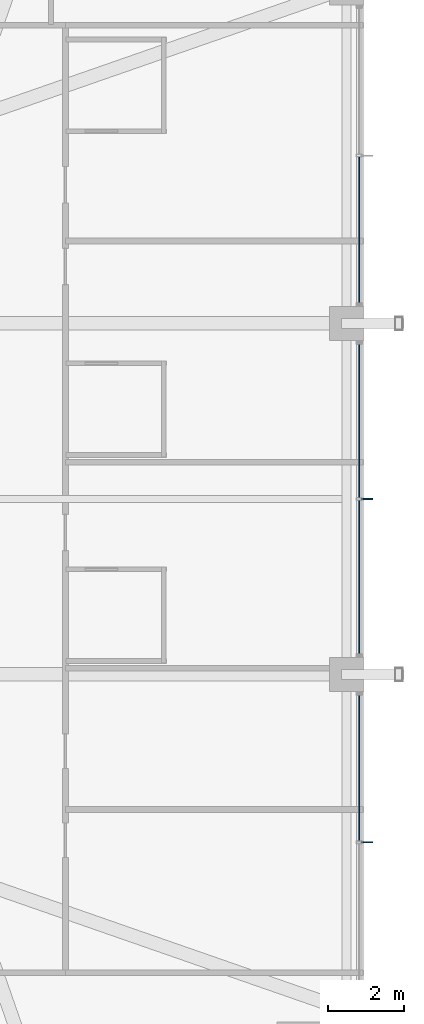
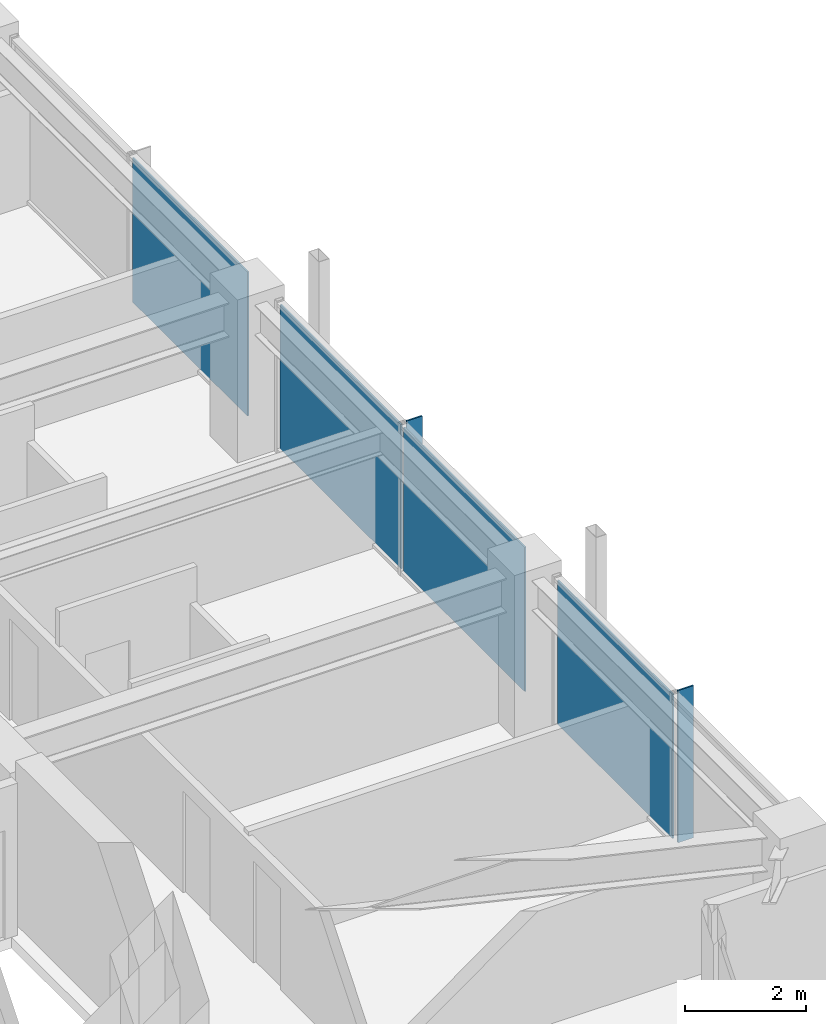
# One storey, part 28 of 37: 6 plates, 3 elements without a shape of their own.
"""IFC4 building model written with IfcOpenShell, lengths in metres."""

from ifc_helpers import new_model, si_unit, direction, frame, origin, origin_2d, place, context, subcontext, project, spatial, rectangle, extrude, material, layer, layer_set, type_object, element, aggregate, save


model = new_model("IFC4")

# Units and contexts
model_context = context("Model", 3, precision=1e-05, world=origin(), true_north=direction((0.0, 1.0)))
body_context = subcontext(model_context, "Body", "Model", "MODEL_VIEW")
ifc_project = project(units=[si_unit("LENGTHUNIT", "METRE"), si_unit("AREAUNIT", "SQUARE_METRE"), si_unit("VOLUMEUNIT", "CUBIC_METRE"), si_unit("PLANEANGLEUNIT", "RADIAN"), si_unit("MASSUNIT", "GRAM", prefix="KILO")], contexts=[model_context])

# Site, building, storey
site_placement = place(None, origin())
site = spatial("IfcSite", under=ifc_project, at=site_placement, CompositionType="ELEMENT")
building_placement = place(site_placement, origin())
building = spatial("IfcBuilding", under=site, at=building_placement, Name="Kolvaren Belvedere", CompositionType="ELEMENT")
storey_placement = place(building_placement, frame((0.0, 0.0, 180.0)))
storey = spatial("IfcBuildingStorey", under=building, at=storey_placement, Name="L52", CompositionType="ELEMENT", Elevation=180.0)

# Curtain wall, plate
ifc_material_1 = material(Name="Anodised pale-metal aluminium AA 6063-T6", Category="aluminium")
curtain_wall_type = type_object("IfcCurtainWallType", Name="CW-Z5-HIGH", PredefinedType="NOTDEFINED", material=ifc_material_1)
curtain_wall_1_placement = place(storey_placement, origin())
curtain_wall_1 = element("IfcCurtainWall", 1, at=curtain_wall_1_placement, inside=storey, type_object=curtain_wall_type, Name="L52 Unitised Curtain Wall FCW-L52-E-B1", PredefinedType="NOTDEFINED")
ifc_material_2 = material(Name="Low-iron triple insulated glass", Category="glass")
ifc_layer_1 = layer(ifc_material_2, 0.028076171875)
ifc_layer_set_1 = layer_set([ifc_layer_1], Name="Low-iron triple insulated glass")
plate_type_1 = type_object("IfcPlateType", Name="CW-PNL-VIS28", PredefinedType="CURTAIN_PANEL", material=ifc_layer_set_1)
plate_1_placement = place(storey_placement, frame((20.280029296875, 7.052490234375, 0.080078125), z_axis=(0.0, 0.0, 1.0), x_axis=(0.0, -1.0, 0.0)))
plate_1 = element("IfcPlate", 2, at=plate_1_placement, type_object=plate_type_1, Name="FCW-L52-E-B1 Vision Glazing Panel 2", PredefinedType="CURTAIN_PANEL", context=body_context, shape_type="SweptSolid", body=[
    extrude(rectangle(XDim=3.81494140625, YDim=0.028076171875, at=origin_2d()), origin(), (0.0, 0.0, 1.0), 2.919921875),
])
aggregate(curtain_wall_1, [plate_1])

# Curtain wall, plates
curtain_wall_2_placement = place(storey_placement, origin())
curtain_wall_2 = element("IfcCurtainWall", 3, at=curtain_wall_2_placement, inside=storey, type_object=curtain_wall_type, Name="L52 Unitised Curtain Wall FCW-L52-E-B2", PredefinedType="NOTDEFINED")
plate_2_placement = place(storey_placement, frame((20.280029296875, 2.047607421875, 0.080078125), z_axis=(0.0, 0.0, 1.0), x_axis=(0.0, -1.0, 0.0)))
plate_2 = element("IfcPlate", 4, at=plate_2_placement, type_object=plate_type_1, Name="FCW-L52-E-B2 Vision Glazing Panel 1", PredefinedType="CURTAIN_PANEL", context=body_context, shape_type="SweptSolid", body=[
    extrude(rectangle(XDim=4.014892578125, YDim=0.028076171875, at=origin_2d()), origin(), (0.0, 0.0, 1.0), 2.919921875),
])
plate_3_placement = place(storey_placement, frame((20.280029296875, -2.047607421875, 0.080078125), z_axis=(0.0, 0.0, 1.0), x_axis=(0.0, -1.0, 0.0)))
plate_3 = element("IfcPlate", 5, at=plate_3_placement, type_object=plate_type_1, Name="FCW-L52-E-B2 Vision Glazing Panel 2", PredefinedType="CURTAIN_PANEL", context=body_context, shape_type="SweptSolid", body=[
    extrude(rectangle(XDim=4.014892578125, YDim=0.028076171875, at=origin_2d()), origin(), (0.0, 0.0, 1.0), 2.919921875),
])
aggregate(curtain_wall_2, [plate_2, plate_3])

# Curtain wall, plate
curtain_wall_3_placement = place(storey_placement, origin())
curtain_wall_3 = element("IfcCurtainWall", 6, at=curtain_wall_3_placement, inside=storey, type_object=curtain_wall_type, Name="L52 Unitised Curtain Wall FCW-L52-E-B3", PredefinedType="NOTDEFINED")
plate_4_placement = place(storey_placement, frame((20.280029296875, -7.052490234375, 0.080078125), z_axis=(0.0, 0.0, 1.0), x_axis=(0.0, -1.0, 0.0)))
plate_4 = element("IfcPlate", 7, at=plate_4_placement, type_object=plate_type_1, Name="FCW-L52-E-B3 Vision Glazing Panel 1", PredefinedType="CURTAIN_PANEL", context=body_context, shape_type="SweptSolid", body=[
    extrude(rectangle(XDim=3.81494140625, YDim=0.028076171875, at=origin_2d()), origin(), (0.0, 0.0, 1.0), 2.919921875),
])
aggregate(curtain_wall_3, [plate_4])

# Plates
ifc_material_3 = material(Name="Anodised pale-metal aluminium AA 6063-T6", Category="aluminium")
ifc_layer_2 = layer(ifc_material_3, 0.030029296875)
ifc_layer_set_2 = layer_set([ifc_layer_2], Name="Anodised pale-metal aluminium AA 6063-T6")
plate_type_2 = type_object("IfcPlateType", Name="FIN-VERT-300", PredefinedType="USERDEFINED", material=ifc_layer_set_2)
for number, where, z_axis, x_axis, name in (
    (8, (20.489990234375, 0.0, 0.0), (0.0, 0.0, 1.0), (1.0, 0.0, 0.0), "L52 Pale-Metal Vertical Shading Fin FCW-L52-E-B2-1"),
    (9, (20.489990234375, -9.0, 0.0), (0.0, 0.0, 1.0), (1.0, 0.0, 0.0), "L52 Pale-Metal Vertical Shading Fin FCW-L52-E-B3-1"),
):
    element("IfcPlate", number, at=place(storey_placement, frame(where, z_axis=z_axis, x_axis=x_axis)), inside=storey, type_object=plate_type_2, Name=name, ObjectType="VERTICAL FIN", PredefinedType="USERDEFINED", context=body_context, shape_type="SweptSolid", body=[
        extrude(rectangle(XDim=0.300048828125, YDim=0.030029296875, at=origin_2d()), origin(), (0.0, 0.0, 1.0), 3.080078125),
    ])

save(model, "model.ifc")
